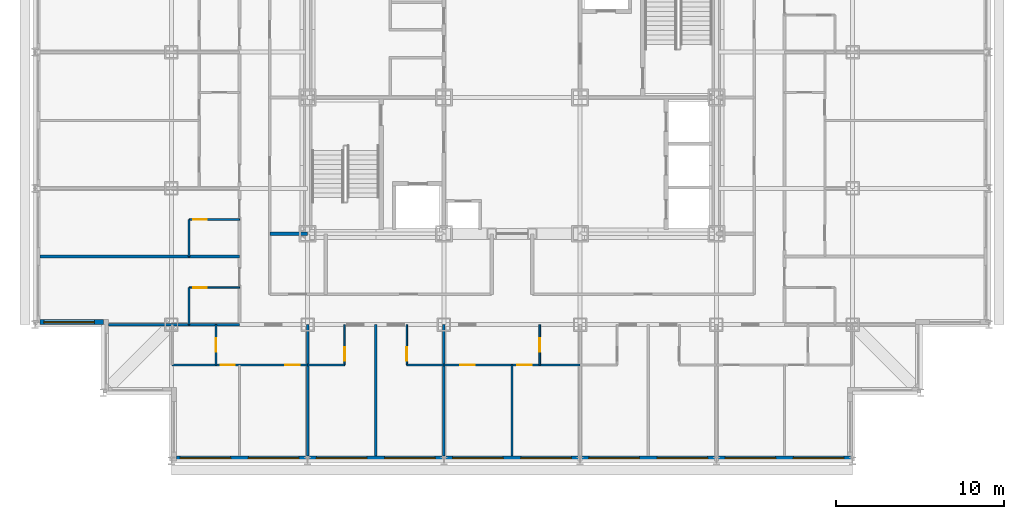
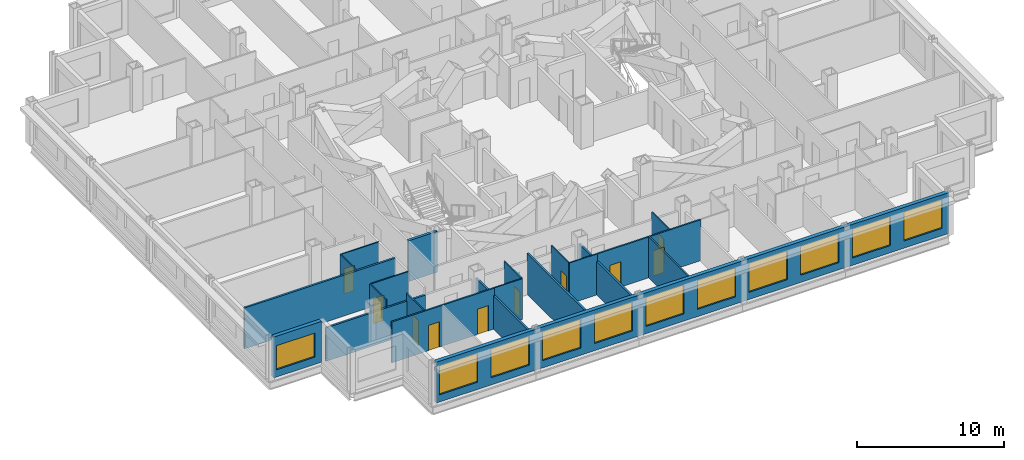
# One storey, part 4 of 12: 21 walls, 11 windows, 10 doors, 21 openings.
"""IFC4 building model written with IfcOpenShell, lengths in metres."""

from ifc_helpers import new_model, si_unit, direction, frame, frame_2d, origin, place, context, subcontext, project, spatial, rectangle, extrude, material, layer, layer_set, type_object, element, fill, save


model = new_model("IFC4")

# Units and contexts
model_context = context("Model", 3, precision=1e-05, world=origin(), true_north=direction((0.0, 1.0)))
body_context = subcontext(model_context, "Body", "Model", "MODEL_VIEW")
ifc_project = project(units=[si_unit("LENGTHUNIT", "METRE"), si_unit("AREAUNIT", "SQUARE_METRE"), si_unit("VOLUMEUNIT", "CUBIC_METRE"), si_unit("PLANEANGLEUNIT", "RADIAN"), si_unit("MASSUNIT", "GRAM", prefix="KILO")], contexts=[model_context])

# Site, building, storey
site_placement = place(None, origin())
site = spatial("IfcSite", under=ifc_project, at=site_placement, CompositionType="ELEMENT")
building_placement = place(site_placement, origin())
building = spatial("IfcBuilding", under=site, at=building_placement, Name="Kopane Lantern Tower", CompositionType="ELEMENT")
storey_placement = place(building_placement, frame((0.0, 0.0, 174.0)))
storey = spatial("IfcBuildingStorey", under=building, at=storey_placement, Name="L44", CompositionType="ELEMENT", Elevation=174.0)

# Wall, openings, doors
ifc_material_1 = material(Name="Gypsum board on steel studs", Category="steel")
ifc_layer_1 = layer(ifc_material_1, 0.1201171875)
ifc_layer_set_1 = layer_set([ifc_layer_1], Name="APARTMENT INTERNAL WALL 120")
wall_type_1 = type_object("IfcWallType", Name="APARTMENT INTERNAL WALL 120", PredefinedType="PARTITIONING", material=ifc_layer_set_1)
wall_1_placement = place(storey_placement, frame((24.300048828125, 16.5, 0.0), z_axis=(0.0, 0.0, 1.0), x_axis=(1.0, 0.0, 0.0)))
wall_1 = element("IfcWall", 1, at=wall_1_placement, inside=storey, type_object=wall_type_1, Name="Apartment Internal Wall 120 L44", PredefinedType="PARTITIONING", context=body_context, shape_type="SweptSolid", body=[
    extrude(rectangle(XDim=8.099853515625, YDim=0.1201171875, at=frame_2d((4.0498046875, 0.0))), origin(), (0.0, 0.0, 1.0), 3.389892578125),
])
opening_1_placement = place(wall_1_placement, frame((0.97509765625, 0.0, 0.0)))
opening_1 = element("IfcOpeningElement", 2, at=opening_1_placement, cuts=wall_1, Name="Opening L44-014", PredefinedType="OPENING", context=body_context, shape_type="SweptSolid", body=[
    extrude(rectangle(XDim=0.85009765625, YDim=2.10009765625, at=frame_2d((0.425048828125, 1.050048828125))), frame((0.0, 0.070068359375, 0.0), z_axis=(0.0, -1.0, 0.0), x_axis=(1.0, 0.0, 0.0)), (0.0, 0.0, 1.0), 0.14013671875),
])
opening_2_placement = place(wall_1_placement, frame((4.375, 0.0, 0.0)))
opening_2 = element("IfcOpeningElement", 3, at=opening_2_placement, cuts=wall_1, Name="Opening L44-015", PredefinedType="OPENING", context=body_context, shape_type="SweptSolid", body=[
    extrude(rectangle(XDim=0.85009765625, YDim=2.10009765625, at=frame_2d((0.425048828125, 1.050048828125))), frame((0.0, 0.070068359375, 0.0), z_axis=(0.0, -1.0, 0.0), x_axis=(1.0, 0.0, 0.0)), (0.0, 0.0, 1.0), 0.14013671875),
])
ifc_material_2 = material(Name="Timber door set", Category="wood")
door_type_1 = type_object("IfcDoorType", Name="DOOR D4 850x2100", OperationType="SINGLE_SWING_LEFT", PredefinedType="DOOR", material=ifc_material_2)
door_1_placement = place(opening_1_placement, origin())
door_1 = element("IfcDoor", 4, at=door_1_placement, inside=storey, type_object=door_type_1, Name="Door L44-014", OperationType="SINGLE_SWING_LEFT", OverallHeight=2.10009765625, OverallWidth=0.85009765625, PredefinedType="DOOR", context=body_context, shape_type="SweptSolid", body=[
    extrude(rectangle(XDim=0.85009765625, YDim=2.10009765625, at=frame_2d((0.425048828125, 1.050048828125))), frame((0.0, 0.02490234375, 0.0), z_axis=(0.0, -1.0, 0.0), x_axis=(1.0, 0.0, 0.0)), (0.0, 0.0, 1.0), 0.050048828125),
])
fill(opening_1, door_1)
door_2_placement = place(opening_2_placement, origin())
door_2 = element("IfcDoor", 5, at=door_2_placement, inside=storey, type_object=door_type_1, Name="Door L44-015", OperationType="SINGLE_SWING_RIGHT", OverallHeight=2.10009765625, OverallWidth=0.85009765625, PredefinedType="DOOR", context=body_context, shape_type="SweptSolid", body=[
    extrude(rectangle(XDim=0.85009765625, YDim=2.10009765625, at=frame_2d((0.425048828125, 1.050048828125))), frame((0.0, 0.02490234375, 0.0), z_axis=(0.0, -1.0, 0.0), x_axis=(1.0, 0.0, 0.0)), (0.0, 0.0, 1.0), 0.050048828125),
])
fill(opening_2, door_2)

# Wall
wall_2_placement = place(storey_placement, frame((28.35009765625, 16.5, 0.0), z_axis=(0.0, 0.0, 1.0), x_axis=(0.0, -1.0, 0.0)))
element("IfcWall", 6, at=wall_2_placement, inside=storey, type_object=wall_type_1, Name="Apartment Internal Wall 120 L44", PredefinedType="PARTITIONING", context=body_context, shape_type="SweptSolid", body=[
    extrude(rectangle(XDim=5.39990234375, YDim=0.1201171875, at=frame_2d((2.699951171875, 0.0))), origin(), (0.0, 0.0, 1.0), 3.389892578125),
])

# Wall, openings, doors
wall_3_placement = place(storey_placement, frame((8.14990234375, 16.5, 0.0), z_axis=(0.0, 0.0, 1.0), x_axis=(1.0, 0.0, 0.0)))
wall_3 = element("IfcWall", 7, at=wall_3_placement, inside=storey, type_object=wall_type_1, Name="Apartment Internal Wall 120 L44", PredefinedType="PARTITIONING", context=body_context, shape_type="SweptSolid", body=[
    extrude(rectangle(XDim=8.050048828125, YDim=0.1201171875, at=frame_2d((4.02490234375, 0.0))), origin(), (0.0, 0.0, 1.0), 3.389892578125),
])
opening_3_placement = place(wall_3_placement, frame((6.72509765625, 0.0, 0.0)))
opening_3 = element("IfcOpeningElement", 8, at=opening_3_placement, cuts=wall_3, Name="Opening L44-055", PredefinedType="OPENING", context=body_context, shape_type="SweptSolid", body=[
    extrude(rectangle(XDim=0.85009765625, YDim=2.10009765625, at=frame_2d((0.425048828125, 1.050048828125))), frame((0.0, 0.070068359375, 0.0), z_axis=(0.0, -1.0, 0.0), x_axis=(1.0, 0.0, 0.0)), (0.0, 0.0, 1.0), 0.14013671875),
])
opening_4_placement = place(wall_3_placement, frame((2.875, 0.0, 0.0)))
opening_4 = element("IfcOpeningElement", 9, at=opening_4_placement, cuts=wall_3, Name="Opening L44-057", PredefinedType="OPENING", context=body_context, shape_type="SweptSolid", body=[
    extrude(rectangle(XDim=0.85009765625, YDim=2.10009765625, at=frame_2d((0.425048828125, 1.050048828125))), frame((0.0, 0.070068359375, 0.0), z_axis=(0.0, -1.0, 0.0), x_axis=(1.0, 0.0, 0.0)), (0.0, 0.0, 1.0), 0.14013671875),
])
door_3_placement = place(opening_3_placement, origin())
door_3 = element("IfcDoor", 10, at=door_3_placement, inside=storey, type_object=door_type_1, Name="Door L44-055", OperationType="SINGLE_SWING_RIGHT", OverallHeight=2.10009765625, OverallWidth=0.85009765625, PredefinedType="DOOR", context=body_context, shape_type="SweptSolid", body=[
    extrude(rectangle(XDim=0.85009765625, YDim=2.10009765625, at=frame_2d((0.425048828125, 1.050048828125))), frame((0.0, 0.02490234375, 0.0), z_axis=(0.0, -1.0, 0.0), x_axis=(1.0, 0.0, 0.0)), (0.0, 0.0, 1.0), 0.050048828125),
])
fill(opening_3, door_3)
door_4_placement = place(opening_4_placement, origin())
door_4 = element("IfcDoor", 11, at=door_4_placement, inside=storey, type_object=door_type_1, Name="Door L44-057", OperationType="SINGLE_SWING_LEFT", OverallHeight=2.10009765625, OverallWidth=0.85009765625, PredefinedType="DOOR", context=body_context, shape_type="SweptSolid", body=[
    extrude(rectangle(XDim=0.85009765625, YDim=2.10009765625, at=frame_2d((0.425048828125, 1.050048828125))), frame((0.0, 0.02490234375, 0.0), z_axis=(0.0, -1.0, 0.0), x_axis=(1.0, 0.0, 0.0)), (0.0, 0.0, 1.0), 0.050048828125),
])
fill(opening_4, door_4)

# Wall
ifc_material_3 = material(Name="Moisture-resistant board on steel studs", Category="steel")
ifc_layer_2 = layer(ifc_material_3, 0.10009765625)
ifc_layer_set_2 = layer_set([ifc_layer_2], Name="BATHROOM WALL 100")
wall_type_2 = type_object("IfcWallType", Name="BATHROOM WALL 100", PredefinedType="PARTITIONING", material=ifc_layer_set_2)
wall_4_placement = place(storey_placement, frame((16.199951171875, 16.5, 0.0), z_axis=(0.0, 0.0, 1.0), x_axis=(1.0, 0.0, 0.0)))
element("IfcWall", 12, at=wall_4_placement, inside=storey, type_object=wall_type_2, Name="Bathroom Wall 100 L44", PredefinedType="PARTITIONING", context=body_context, shape_type="SweptSolid", body=[
    extrude(rectangle(XDim=2.199951171875, YDim=0.10009765625, at=frame_2d((1.10009765625, 0.0))), origin(), (0.0, 0.0, 1.0), 3.389892578125),
])

# Wall, opening, door
wall_5_placement = place(storey_placement, frame((18.39990234375, 18.89990234375, 0.0), z_axis=(0.0, 0.0, 1.0), x_axis=(0.0, -1.0, 0.0)))
wall_5 = element("IfcWall", 13, at=wall_5_placement, inside=storey, type_object=wall_type_2, Name="Bathroom Wall 100 L44", PredefinedType="PARTITIONING", context=body_context, shape_type="SweptSolid", body=[
    extrude(rectangle(XDim=2.39990234375, YDim=0.10009765625, at=frame_2d((1.199951171875, 0.0))), origin(), (0.0, 0.0, 1.0), 3.389892578125),
])
opening_5_placement = place(wall_5_placement, frame((1.35009765625, 0.0, 0.0)))
opening_5 = element("IfcOpeningElement", 14, at=opening_5_placement, cuts=wall_5, Name="Opening L44-008", PredefinedType="OPENING", context=body_context, shape_type="SweptSolid", body=[
    extrude(rectangle(XDim=0.800048828125, YDim=2.10009765625, at=frame_2d((0.39990234375, 1.050048828125))), frame((0.0, 0.06005859375, 0.0), z_axis=(0.0, -1.0, 0.0), x_axis=(1.0, 0.0, 0.0)), (0.0, 0.0, 1.0), 0.1201171875),
])
ifc_material_4 = material(Name="Timber door set", Category="wood")
door_type_2 = type_object("IfcDoorType", Name="DOOR D2 800x2100", OperationType="SINGLE_SWING_LEFT", PredefinedType="DOOR", material=ifc_material_4)
door_5_placement = place(opening_5_placement, origin())
door_5 = element("IfcDoor", 15, at=door_5_placement, inside=storey, type_object=door_type_2, Name="Door L44-008", OperationType="SINGLE_SWING_LEFT", OverallHeight=2.10009765625, OverallWidth=0.800048828125, PredefinedType="DOOR", context=body_context, shape_type="SweptSolid", body=[
    extrude(rectangle(XDim=0.800048828125, YDim=2.10009765625, at=frame_2d((0.39990234375, 1.050048828125))), frame((0.0, 0.02490234375, 0.0), z_axis=(0.0, -1.0, 0.0), x_axis=(1.0, 0.0, 0.0)), (0.0, 0.0, 1.0), 0.050048828125),
])
fill(opening_5, door_5)

# Wall
wall_6_placement = place(storey_placement, frame((22.10009765625, 16.5, 0.0), z_axis=(0.0, 0.0, 1.0), x_axis=(1.0, 0.0, 0.0)))
element("IfcWall", 16, at=wall_6_placement, inside=storey, type_object=wall_type_2, Name="Bathroom Wall 100 L44", PredefinedType="PARTITIONING", context=body_context, shape_type="SweptSolid", body=[
    extrude(rectangle(XDim=2.199951171875, YDim=0.10009765625, at=frame_2d((1.10009765625, 0.0))), origin(), (0.0, 0.0, 1.0), 3.389892578125),
])

# Wall, opening, door
wall_7_placement = place(storey_placement, frame((22.10009765625, 18.89990234375, 0.0), z_axis=(0.0, 0.0, 1.0), x_axis=(0.0, -1.0, 0.0)))
wall_7 = element("IfcWall", 17, at=wall_7_placement, inside=storey, type_object=wall_type_2, Name="Bathroom Wall 100 L44", PredefinedType="PARTITIONING", context=body_context, shape_type="SweptSolid", body=[
    extrude(rectangle(XDim=2.39990234375, YDim=0.10009765625, at=frame_2d((1.199951171875, 0.0))), origin(), (0.0, 0.0, 1.0), 3.389892578125),
])
opening_6_placement = place(wall_7_placement, frame((1.35009765625, 0.0, 0.0)))
opening_6 = element("IfcOpeningElement", 18, at=opening_6_placement, cuts=wall_7, Name="Opening L44-010", PredefinedType="OPENING", context=body_context, shape_type="SweptSolid", body=[
    extrude(rectangle(XDim=0.800048828125, YDim=2.10009765625, at=frame_2d((0.39990234375, 1.050048828125))), frame((0.0, 0.06005859375, 0.0), z_axis=(0.0, -1.0, 0.0), x_axis=(1.0, 0.0, 0.0)), (0.0, 0.0, 1.0), 0.1201171875),
])
door_6_placement = place(opening_6_placement, origin())
door_6 = element("IfcDoor", 19, at=door_6_placement, inside=storey, type_object=door_type_2, Name="Door L44-010", OperationType="SINGLE_SWING_RIGHT", OverallHeight=2.10009765625, OverallWidth=0.800048828125, PredefinedType="DOOR", context=body_context, shape_type="SweptSolid", body=[
    extrude(rectangle(XDim=0.800048828125, YDim=2.10009765625, at=frame_2d((0.39990234375, 1.050048828125))), frame((0.0, 0.02490234375, 0.0), z_axis=(0.0, -1.0, 0.0), x_axis=(1.0, 0.0, 0.0)), (0.0, 0.0, 1.0), 0.050048828125),
])
fill(opening_6, door_6)

wall_8_placement = place(storey_placement, frame((30.0, 18.89990234375, 0.0), z_axis=(0.0, 0.0, 1.0), x_axis=(0.0, -1.0, 0.0)))
wall_8 = element("IfcWall", 20, at=wall_8_placement, inside=storey, type_object=wall_type_2, Name="Bathroom Wall 100 L44", PredefinedType="PARTITIONING", context=body_context, shape_type="SweptSolid", body=[
    extrude(rectangle(XDim=2.39990234375, YDim=0.10009765625, at=frame_2d((1.199951171875, 0.0))), origin(), (0.0, 0.0, 1.0), 3.389892578125),
])
opening_7_placement = place(wall_8_placement, frame((0.800048828125, 0.0, 0.0)))
opening_7 = element("IfcOpeningElement", 21, at=opening_7_placement, cuts=wall_8, Name="Opening L44-012", PredefinedType="OPENING", context=body_context, shape_type="SweptSolid", body=[
    extrude(rectangle(XDim=0.800048828125, YDim=2.10009765625, at=frame_2d((0.39990234375, 1.050048828125))), frame((0.0, 0.06005859375, 0.0), z_axis=(0.0, -1.0, 0.0), x_axis=(1.0, 0.0, 0.0)), (0.0, 0.0, 1.0), 0.1201171875),
])
door_7_placement = place(opening_7_placement, origin())
door_7 = element("IfcDoor", 22, at=door_7_placement, inside=storey, type_object=door_type_2, Name="Door L44-012", OperationType="SINGLE_SWING_LEFT", OverallHeight=2.10009765625, OverallWidth=0.800048828125, PredefinedType="DOOR", context=body_context, shape_type="SweptSolid", body=[
    extrude(rectangle(XDim=0.800048828125, YDim=2.10009765625, at=frame_2d((0.39990234375, 1.050048828125))), frame((0.0, 0.02490234375, 0.0), z_axis=(0.0, -1.0, 0.0), x_axis=(1.0, 0.0, 0.0)), (0.0, 0.0, 1.0), 0.050048828125),
])
fill(opening_7, door_7)

# Wall
wall_9_placement = place(storey_placement, frame((9.14990234375, 18.89990234375, 0.0), z_axis=(0.0, 0.0, 1.0), x_axis=(0.0, 1.0, 0.0)))
element("IfcWall", 23, at=wall_9_placement, inside=storey, type_object=wall_type_2, Name="Bathroom Wall 100 L44", PredefinedType="PARTITIONING", context=body_context, shape_type="SweptSolid", body=[
    extrude(rectangle(XDim=2.2001953125, YDim=0.10009765625, at=frame_2d((1.10009765625, 0.0))), origin(), (0.0, 0.0, 1.0), 3.389892578125),
])

# Wall, opening, door
wall_10_placement = place(storey_placement, frame((12.14990234375, 21.10009765625, 0.0), z_axis=(0.0, 0.0, 1.0), x_axis=(-1.0, 0.0, 0.0)))
wall_10 = element("IfcWall", 24, at=wall_10_placement, inside=storey, type_object=wall_type_2, Name="Bathroom Wall 100 L44", PredefinedType="PARTITIONING", context=body_context, shape_type="SweptSolid", body=[
    extrude(rectangle(XDim=3.0, YDim=0.10009765625, at=frame_2d((1.5, 0.0))), origin(), (0.0, 0.0, 1.0), 3.389892578125),
])
opening_8_placement = place(wall_10_placement, frame((1.949951171875, 0.0, 0.0)))
opening_8 = element("IfcOpeningElement", 25, at=opening_8_placement, cuts=wall_10, Name="Opening L44-032", PredefinedType="OPENING", context=body_context, shape_type="SweptSolid", body=[
    extrude(rectangle(XDim=0.800048828125, YDim=2.10009765625, at=frame_2d((0.39990234375, 1.050048828125))), frame((0.0, 0.06005859375, 0.0), z_axis=(0.0, -1.0, 0.0), x_axis=(1.0, 0.0, 0.0)), (0.0, 0.0, 1.0), 0.1201171875),
])
door_8_placement = place(opening_8_placement, origin())
door_8 = element("IfcDoor", 26, at=door_8_placement, inside=storey, type_object=door_type_2, Name="Door L44-032", OperationType="SINGLE_SWING_RIGHT", OverallHeight=2.10009765625, OverallWidth=0.800048828125, PredefinedType="DOOR", context=body_context, shape_type="SweptSolid", body=[
    extrude(rectangle(XDim=0.800048828125, YDim=2.10009765625, at=frame_2d((0.39990234375, 1.050048828125))), frame((0.0, 0.02490234375, 0.0), z_axis=(0.0, -1.0, 0.0), x_axis=(1.0, 0.0, 0.0)), (0.0, 0.0, 1.0), 0.050048828125),
])
fill(opening_8, door_8)

# Wall
wall_11_placement = place(storey_placement, frame((9.14990234375, 22.949951171875, 0.0), z_axis=(0.0, 0.0, 1.0), x_axis=(0.0, 1.0, 0.0)))
element("IfcWall", 27, at=wall_11_placement, inside=storey, type_object=wall_type_2, Name="Bathroom Wall 100 L44", PredefinedType="PARTITIONING", context=body_context, shape_type="SweptSolid", body=[
    extrude(rectangle(XDim=2.199951171875, YDim=0.10009765625, at=frame_2d((1.10009765625, 0.0))), origin(), (0.0, 0.0, 1.0), 3.389892578125),
])

# Wall, opening, door
wall_12_placement = place(storey_placement, frame((12.14990234375, 25.14990234375, 0.0), z_axis=(0.0, 0.0, 1.0), x_axis=(-1.0, 0.0, 0.0)))
wall_12 = element("IfcWall", 28, at=wall_12_placement, inside=storey, type_object=wall_type_2, Name="Bathroom Wall 100 L44", PredefinedType="PARTITIONING", context=body_context, shape_type="SweptSolid", body=[
    extrude(rectangle(XDim=3.0, YDim=0.10009765625, at=frame_2d((1.5, 0.0))), origin(), (0.0, 0.0, 1.0), 3.389892578125),
])
opening_9_placement = place(wall_12_placement, frame((1.949951171875, 0.0, 0.0)))
opening_9 = element("IfcOpeningElement", 29, at=opening_9_placement, cuts=wall_12, Name="Opening L44-034", PredefinedType="OPENING", context=body_context, shape_type="SweptSolid", body=[
    extrude(rectangle(XDim=0.800048828125, YDim=2.10009765625, at=frame_2d((0.39990234375, 1.050048828125))), frame((0.0, 0.06005859375, 0.0), z_axis=(0.0, -1.0, 0.0), x_axis=(1.0, 0.0, 0.0)), (0.0, 0.0, 1.0), 0.1201171875),
])
door_9_placement = place(opening_9_placement, origin())
door_9 = element("IfcDoor", 30, at=door_9_placement, inside=storey, type_object=door_type_2, Name="Door L44-034", OperationType="SINGLE_SWING_RIGHT", OverallHeight=2.10009765625, OverallWidth=0.800048828125, PredefinedType="DOOR", context=body_context, shape_type="SweptSolid", body=[
    extrude(rectangle(XDim=0.800048828125, YDim=2.10009765625, at=frame_2d((0.39990234375, 1.050048828125))), frame((0.0, 0.02490234375, 0.0), z_axis=(0.0, -1.0, 0.0), x_axis=(1.0, 0.0, 0.0)), (0.0, 0.0, 1.0), 0.050048828125),
])
fill(opening_9, door_9)

wall_13_placement = place(storey_placement, frame((10.75, 18.89990234375, 0.0), z_axis=(0.0, 0.0, 1.0), x_axis=(0.0, -1.0, 0.0)))
wall_13 = element("IfcWall", 31, at=wall_13_placement, inside=storey, type_object=wall_type_2, Name="Bathroom Wall 100 L44", PredefinedType="PARTITIONING", context=body_context, shape_type="SweptSolid", body=[
    extrude(rectangle(XDim=2.39990234375, YDim=0.10009765625, at=frame_2d((1.199951171875, 0.0))), origin(), (0.0, 0.0, 1.0), 3.389892578125),
])
opening_10_placement = place(wall_13_placement, frame((0.800048828125, 0.0, 0.0)))
opening_10 = element("IfcOpeningElement", 32, at=opening_10_placement, cuts=wall_13, Name="Opening L44-056", PredefinedType="OPENING", context=body_context, shape_type="SweptSolid", body=[
    extrude(rectangle(XDim=0.800048828125, YDim=2.10009765625, at=frame_2d((0.39990234375, 1.050048828125))), frame((0.0, 0.06005859375, 0.0), z_axis=(0.0, -1.0, 0.0), x_axis=(1.0, 0.0, 0.0)), (0.0, 0.0, 1.0), 0.1201171875),
])
door_10_placement = place(opening_10_placement, origin())
door_10 = element("IfcDoor", 33, at=door_10_placement, inside=storey, type_object=door_type_2, Name="Door L44-056", OperationType="SINGLE_SWING_RIGHT", OverallHeight=2.10009765625, OverallWidth=0.800048828125, PredefinedType="DOOR", context=body_context, shape_type="SweptSolid", body=[
    extrude(rectangle(XDim=0.800048828125, YDim=2.10009765625, at=frame_2d((0.39990234375, 1.050048828125))), frame((0.0, 0.02490234375, 0.0), z_axis=(0.0, -1.0, 0.0), x_axis=(1.0, 0.0, 0.0)), (0.0, 0.0, 1.0), 0.050048828125),
])
fill(opening_10, door_10)

# Walls
ifc_material_5 = material(Name="Gypsum board on steel studs", Category="steel")
ifc_layer_3 = layer(ifc_material_5, 0.14990234375)
ifc_layer_set_3 = layer_set([ifc_layer_3], Name="DEMISING WALL 150 EI 60")
wall_type_3 = type_object("IfcWallType", Name="DEMISING WALL 150 EI 60", PredefinedType="PARTITIONING", material=ifc_layer_set_3)
wall_14_placement = place(storey_placement, frame((20.25, 18.89990234375, 0.0), z_axis=(0.0, 0.0, 1.0), x_axis=(0.0, -1.0, 0.0)))
element("IfcWall", 34, at=wall_14_placement, inside=storey, type_object=wall_type_3, Name="Demising Wall 150 Ei 60 L44", PredefinedType="PARTITIONING", context=body_context, shape_type="SweptSolid", body=[
    extrude(rectangle(XDim=7.7998046875, YDim=0.14990234375, at=frame_2d((3.89990234375, 0.0))), origin(), (0.0, 0.0, 1.0), 3.389892578125),
])
wall_15_placement = place(storey_placement, frame((24.300048828125, 18.89990234375, 0.0), z_axis=(0.0, 0.0, 1.0), x_axis=(0.0, -1.0, 0.0)))
element("IfcWall", 35, at=wall_15_placement, inside=storey, type_object=wall_type_3, Name="Demising Wall 150 Ei 60 L44", PredefinedType="PARTITIONING", context=body_context, shape_type="SweptSolid", body=[
    extrude(rectangle(XDim=7.7998046875, YDim=0.14990234375, at=frame_2d((3.89990234375, 0.0))), origin(), (0.0, 0.0, 1.0), 2.77783203125),
])
wall_16_placement = place(storey_placement, frame((12.14990234375, 22.949951171875, 0.0), z_axis=(0.0, 0.0, 1.0), x_axis=(-1.0, 0.0, 0.0)))
element("IfcWall", 36, at=wall_16_placement, inside=storey, type_object=wall_type_3, Name="Demising Wall 150 Ei 60 L44", PredefinedType="PARTITIONING", context=body_context, shape_type="SweptSolid", body=[
    extrude(rectangle(XDim=11.849853515625, YDim=0.14990234375, at=frame_2d((5.9248046875, 0.0))), origin(), (0.0, 0.0, 1.0), 3.389892578125),
])
for number, where, z_axis, x_axis, name in (
    (37, (4.35009765625, 18.89990234375, 0.0), (0.0, 0.0, 1.0), (1.0, 0.0, 0.0), "Demising Wall 150 Ei 60 L44"),
    (38, (16.199951171875, 18.89990234375, 0.0), (0.0, 0.0, 1.0), (0.0, -1.0, 0.0), "Demising Wall 150 Ei 60 L44"),
):
    element("IfcWall", number, at=place(storey_placement, frame(where, z_axis=z_axis, x_axis=x_axis)), inside=storey, type_object=wall_type_3, Name=name, PredefinedType="PARTITIONING", context=body_context, shape_type="SweptSolid", body=[
        extrude(rectangle(XDim=7.7998046875, YDim=0.14990234375, at=frame_2d((3.89990234375, 0.0))), origin(), (0.0, 0.0, 1.0), 2.77783203125),
    ])

# Wall, openings, windows
ifc_material_6 = material(Name="Terracotta rainscreen on light steel framing", Category="masonry")
ifc_layer_4 = layer(ifc_material_6, 0.300048828125)
ifc_layer_set_4 = layer_set([ifc_layer_4], Name="EXTERNAL WALL EW1 300 TERRACOTTA")
wall_type_4 = type_object("IfcWallType", Name="EXTERNAL WALL EW1 300 TERRACOTTA", PredefinedType="SOLIDWALL", material=ifc_layer_set_4)
wall_17_placement = place(storey_placement, frame((8.39990234375, 10.949951171875, 0.0), z_axis=(0.0, 0.0, 1.0), x_axis=(1.0, 0.0, 0.0)))
wall_17 = element("IfcWall", 39, at=wall_17_placement, inside=storey, type_object=wall_type_4, Name="External wall S L44", PredefinedType="SOLIDWALL", context=body_context, shape_type="SweptSolid", body=[
    extrude(rectangle(XDim=40.2001953125, YDim=0.300048828125, at=frame_2d((20.10009765625, 0.0))), origin(), (0.0, 0.0, 1.0), 3.389892578125),
])
opening_11_placement = place(wall_17_placement, frame((0.22509765625, 0.0, 0.60009765625)))
opening_11 = element("IfcOpeningElement", 40, at=opening_11_placement, cuts=wall_17, Name="Opening WR300240", PredefinedType="OPENING", context=body_context, shape_type="SweptSolid", body=[
    extrude(rectangle(XDim=3.0, YDim=2.39990234375, at=frame_2d((1.5, 1.199951171875))), frame((0.0, 0.159912109375, 0.0), z_axis=(0.0, -1.0, 0.0), x_axis=(1.0, 0.0, 0.0)), (0.0, 0.0, 1.0), 0.320068359375),
])
opening_12_placement = place(wall_17_placement, frame((4.27490234375, 0.0, 0.60009765625)))
opening_12 = element("IfcOpeningElement", 41, at=opening_12_placement, cuts=wall_17, Name="Opening WR300240", PredefinedType="OPENING", context=body_context, shape_type="SweptSolid", body=[
    extrude(rectangle(XDim=3.0, YDim=2.39990234375, at=frame_2d((1.5, 1.199951171875))), frame((0.0, 0.159912109375, 0.0), z_axis=(0.0, -1.0, 0.0), x_axis=(1.0, 0.0, 0.0)), (0.0, 0.0, 1.0), 0.320068359375),
])
opening_13_placement = place(wall_17_placement, frame((8.324951171875, 0.0, 0.60009765625)))
opening_13 = element("IfcOpeningElement", 42, at=opening_13_placement, cuts=wall_17, Name="Opening WR300240", PredefinedType="OPENING", context=body_context, shape_type="SweptSolid", body=[
    extrude(rectangle(XDim=3.0, YDim=2.39990234375, at=frame_2d((1.5, 1.199951171875))), frame((0.0, 0.159912109375, 0.0), z_axis=(0.0, -1.0, 0.0), x_axis=(1.0, 0.0, 0.0)), (0.0, 0.0, 1.0), 0.320068359375),
])
opening_14_placement = place(wall_17_placement, frame((12.375, 0.0, 0.60009765625)))
opening_14 = element("IfcOpeningElement", 43, at=opening_14_placement, cuts=wall_17, Name="Opening WR300240", PredefinedType="OPENING", context=body_context, shape_type="SweptSolid", body=[
    extrude(rectangle(XDim=3.0, YDim=2.39990234375, at=frame_2d((1.5, 1.199951171875))), frame((0.0, 0.159912109375, 0.0), z_axis=(0.0, -1.0, 0.0), x_axis=(1.0, 0.0, 0.0)), (0.0, 0.0, 1.0), 0.320068359375),
])
opening_15_placement = place(wall_17_placement, frame((16.425048828125, 0.0, 0.60009765625)))
opening_15 = element("IfcOpeningElement", 44, at=opening_15_placement, cuts=wall_17, Name="Opening WR300240", PredefinedType="OPENING", context=body_context, shape_type="SweptSolid", body=[
    extrude(rectangle(XDim=3.0, YDim=2.39990234375, at=frame_2d((1.5, 1.199951171875))), frame((0.0, 0.159912109375, 0.0), z_axis=(0.0, -1.0, 0.0), x_axis=(1.0, 0.0, 0.0)), (0.0, 0.0, 1.0), 0.320068359375),
])
opening_16_placement = place(wall_17_placement, frame((20.47509765625, 0.0, 0.60009765625)))
opening_16 = element("IfcOpeningElement", 45, at=opening_16_placement, cuts=wall_17, Name="Opening WR300240", PredefinedType="OPENING", context=body_context, shape_type="SweptSolid", body=[
    extrude(rectangle(XDim=3.0, YDim=2.39990234375, at=frame_2d((1.5, 1.199951171875))), frame((0.0, 0.159912109375, 0.0), z_axis=(0.0, -1.0, 0.0), x_axis=(1.0, 0.0, 0.0)), (0.0, 0.0, 1.0), 0.320068359375),
])
opening_17_placement = place(wall_17_placement, frame((24.52490234375, 0.0, 0.60009765625)))
opening_17 = element("IfcOpeningElement", 46, at=opening_17_placement, cuts=wall_17, Name="Opening WR300240", PredefinedType="OPENING", context=body_context, shape_type="SweptSolid", body=[
    extrude(rectangle(XDim=3.0, YDim=2.39990234375, at=frame_2d((1.5, 1.199951171875))), frame((0.0, 0.159912109375, 0.0), z_axis=(0.0, -1.0, 0.0), x_axis=(1.0, 0.0, 0.0)), (0.0, 0.0, 1.0), 0.320068359375),
])
opening_18_placement = place(wall_17_placement, frame((28.574951171875, 0.0, 0.60009765625)))
opening_18 = element("IfcOpeningElement", 47, at=opening_18_placement, cuts=wall_17, Name="Opening WR300240", PredefinedType="OPENING", context=body_context, shape_type="SweptSolid", body=[
    extrude(rectangle(XDim=3.0, YDim=2.39990234375, at=frame_2d((1.5, 1.199951171875))), frame((0.0, 0.159912109375, 0.0), z_axis=(0.0, -1.0, 0.0), x_axis=(1.0, 0.0, 0.0)), (0.0, 0.0, 1.0), 0.320068359375),
])
opening_19_placement = place(wall_17_placement, frame((32.625, 0.0, 0.60009765625)))
opening_19 = element("IfcOpeningElement", 48, at=opening_19_placement, cuts=wall_17, Name="Opening WR300240", PredefinedType="OPENING", context=body_context, shape_type="SweptSolid", body=[
    extrude(rectangle(XDim=3.0, YDim=2.39990234375, at=frame_2d((1.5, 1.199951171875))), frame((0.0, 0.159912109375, 0.0), z_axis=(0.0, -1.0, 0.0), x_axis=(1.0, 0.0, 0.0)), (0.0, 0.0, 1.0), 0.320068359375),
])
opening_20_placement = place(wall_17_placement, frame((36.675048828125, 0.0, 0.60009765625)))
opening_20 = element("IfcOpeningElement", 49, at=opening_20_placement, cuts=wall_17, Name="Opening WR300240", PredefinedType="OPENING", context=body_context, shape_type="SweptSolid", body=[
    extrude(rectangle(XDim=3.0, YDim=2.39990234375, at=frame_2d((1.5, 1.199951171875))), frame((0.0, 0.159912109375, 0.0), z_axis=(0.0, -1.0, 0.0), x_axis=(1.0, 0.0, 0.0)), (0.0, 0.0, 1.0), 0.320068359375),
])
ifc_material_7 = material(Name="Aluminium and clear glass", Category="aluminium")
window_type_1 = type_object("IfcWindowType", Name="RIBBON WINDOW WR300240 3000x2400", PartitioningType="SINGLE_PANEL", PredefinedType="WINDOW", material=ifc_material_7)
window_1_placement = place(opening_11_placement, origin())
window_1 = element("IfcWindow", 50, at=window_1_placement, inside=storey, type_object=window_type_1, Name="Window S L44", OverallHeight=2.39990234375, OverallWidth=3.0, PartitioningType="SINGLE_PANEL", PredefinedType="WINDOW", context=body_context, shape_type="SweptSolid", body=[
    extrude(rectangle(XDim=3.0, YDim=2.39990234375, at=frame_2d((1.5, 1.199951171875))), frame((0.0, 0.030029296875, 0.0), z_axis=(0.0, -1.0, 0.0), x_axis=(1.0, 0.0, 0.0)), (0.0, 0.0, 1.0), 0.06005859375),
])
fill(opening_11, window_1)
window_2_placement = place(opening_12_placement, origin())
window_2 = element("IfcWindow", 51, at=window_2_placement, inside=storey, type_object=window_type_1, Name="Window S L44", OverallHeight=2.39990234375, OverallWidth=3.0, PartitioningType="SINGLE_PANEL", PredefinedType="WINDOW", context=body_context, shape_type="SweptSolid", body=[
    extrude(rectangle(XDim=3.0, YDim=2.39990234375, at=frame_2d((1.5, 1.199951171875))), frame((0.0, 0.030029296875, 0.0), z_axis=(0.0, -1.0, 0.0), x_axis=(1.0, 0.0, 0.0)), (0.0, 0.0, 1.0), 0.06005859375),
])
fill(opening_12, window_2)
window_3_placement = place(opening_13_placement, origin())
window_3 = element("IfcWindow", 52, at=window_3_placement, inside=storey, type_object=window_type_1, Name="Window S L44", OverallHeight=2.39990234375, OverallWidth=3.0, PartitioningType="SINGLE_PANEL", PredefinedType="WINDOW", context=body_context, shape_type="SweptSolid", body=[
    extrude(rectangle(XDim=3.0, YDim=2.39990234375, at=frame_2d((1.5, 1.199951171875))), frame((0.0, 0.030029296875, 0.0), z_axis=(0.0, -1.0, 0.0), x_axis=(1.0, 0.0, 0.0)), (0.0, 0.0, 1.0), 0.06005859375),
])
fill(opening_13, window_3)
window_4_placement = place(opening_14_placement, origin())
window_4 = element("IfcWindow", 53, at=window_4_placement, inside=storey, type_object=window_type_1, Name="Window S L44", OverallHeight=2.39990234375, OverallWidth=3.0, PartitioningType="SINGLE_PANEL", PredefinedType="WINDOW", context=body_context, shape_type="SweptSolid", body=[
    extrude(rectangle(XDim=3.0, YDim=2.39990234375, at=frame_2d((1.5, 1.199951171875))), frame((0.0, 0.030029296875, 0.0), z_axis=(0.0, -1.0, 0.0), x_axis=(1.0, 0.0, 0.0)), (0.0, 0.0, 1.0), 0.06005859375),
])
fill(opening_14, window_4)
window_5_placement = place(opening_15_placement, origin())
window_5 = element("IfcWindow", 54, at=window_5_placement, inside=storey, type_object=window_type_1, Name="Window S L44", OverallHeight=2.39990234375, OverallWidth=3.0, PartitioningType="SINGLE_PANEL", PredefinedType="WINDOW", context=body_context, shape_type="SweptSolid", body=[
    extrude(rectangle(XDim=3.0, YDim=2.39990234375, at=frame_2d((1.5, 1.199951171875))), frame((0.0, 0.030029296875, 0.0), z_axis=(0.0, -1.0, 0.0), x_axis=(1.0, 0.0, 0.0)), (0.0, 0.0, 1.0), 0.06005859375),
])
fill(opening_15, window_5)
window_6_placement = place(opening_16_placement, origin())
window_6 = element("IfcWindow", 55, at=window_6_placement, inside=storey, type_object=window_type_1, Name="Window S L44", OverallHeight=2.39990234375, OverallWidth=3.0, PartitioningType="SINGLE_PANEL", PredefinedType="WINDOW", context=body_context, shape_type="SweptSolid", body=[
    extrude(rectangle(XDim=3.0, YDim=2.39990234375, at=frame_2d((1.5, 1.199951171875))), frame((0.0, 0.030029296875, 0.0), z_axis=(0.0, -1.0, 0.0), x_axis=(1.0, 0.0, 0.0)), (0.0, 0.0, 1.0), 0.06005859375),
])
fill(opening_16, window_6)
window_7_placement = place(opening_17_placement, origin())
window_7 = element("IfcWindow", 56, at=window_7_placement, inside=storey, type_object=window_type_1, Name="Window S L44", OverallHeight=2.39990234375, OverallWidth=3.0, PartitioningType="SINGLE_PANEL", PredefinedType="WINDOW", context=body_context, shape_type="SweptSolid", body=[
    extrude(rectangle(XDim=3.0, YDim=2.39990234375, at=frame_2d((1.5, 1.199951171875))), frame((0.0, 0.030029296875, 0.0), z_axis=(0.0, -1.0, 0.0), x_axis=(1.0, 0.0, 0.0)), (0.0, 0.0, 1.0), 0.06005859375),
])
fill(opening_17, window_7)
window_8_placement = place(opening_18_placement, origin())
window_8 = element("IfcWindow", 57, at=window_8_placement, inside=storey, type_object=window_type_1, Name="Window S L44", OverallHeight=2.39990234375, OverallWidth=3.0, PartitioningType="SINGLE_PANEL", PredefinedType="WINDOW", context=body_context, shape_type="SweptSolid", body=[
    extrude(rectangle(XDim=3.0, YDim=2.39990234375, at=frame_2d((1.5, 1.199951171875))), frame((0.0, 0.030029296875, 0.0), z_axis=(0.0, -1.0, 0.0), x_axis=(1.0, 0.0, 0.0)), (0.0, 0.0, 1.0), 0.06005859375),
])
fill(opening_18, window_8)
window_9_placement = place(opening_19_placement, origin())
window_9 = element("IfcWindow", 58, at=window_9_placement, inside=storey, type_object=window_type_1, Name="Window S L44", OverallHeight=2.39990234375, OverallWidth=3.0, PartitioningType="SINGLE_PANEL", PredefinedType="WINDOW", context=body_context, shape_type="SweptSolid", body=[
    extrude(rectangle(XDim=3.0, YDim=2.39990234375, at=frame_2d((1.5, 1.199951171875))), frame((0.0, 0.030029296875, 0.0), z_axis=(0.0, -1.0, 0.0), x_axis=(1.0, 0.0, 0.0)), (0.0, 0.0, 1.0), 0.06005859375),
])
fill(opening_19, window_9)
window_10_placement = place(opening_20_placement, origin())
window_10 = element("IfcWindow", 59, at=window_10_placement, inside=storey, type_object=window_type_1, Name="Window S L44", OverallHeight=2.39990234375, OverallWidth=3.0, PartitioningType="SINGLE_PANEL", PredefinedType="WINDOW", context=body_context, shape_type="SweptSolid", body=[
    extrude(rectangle(XDim=3.0, YDim=2.39990234375, at=frame_2d((1.5, 1.199951171875))), frame((0.0, 0.030029296875, 0.0), z_axis=(0.0, -1.0, 0.0), x_axis=(1.0, 0.0, 0.0)), (0.0, 0.0, 1.0), 0.06005859375),
])
fill(opening_20, window_10)

# Wall, opening, window
wall_18_placement = place(storey_placement, frame((0.300048828125, 19.050048828125, 0.0), z_axis=(0.0, 0.0, 1.0), x_axis=(1.0, 0.0, 0.0)))
wall_18 = element("IfcWall", 60, at=wall_18_placement, inside=storey, type_object=wall_type_4, Name="External wall S L44", PredefinedType="SOLIDWALL", context=body_context, shape_type="SweptSolid", body=[
    extrude(rectangle(XDim=3.75, YDim=0.300048828125, at=frame_2d((1.875, 0.0))), origin(), (0.0, 0.0, 1.0), 3.389892578125),
])
opening_21_placement = place(wall_18_placement, frame((0.22509765625, 0.0, 0.60009765625)))
opening_21 = element("IfcOpeningElement", 61, at=opening_21_placement, cuts=wall_18, Name="Opening WR300200", PredefinedType="OPENING", context=body_context, shape_type="SweptSolid", body=[
    extrude(rectangle(XDim=3.0, YDim=2.0, at=frame_2d((1.5, 1.0))), frame((0.0, 0.159912109375, 0.0), z_axis=(0.0, -1.0, 0.0), x_axis=(1.0, 0.0, 0.0)), (0.0, 0.0, 1.0), 0.320068359375),
])
ifc_material_8 = material(Name="Aluminium and clear glass", Category="aluminium")
window_type_2 = type_object("IfcWindowType", Name="RIBBON WINDOW WR300200 3000x2000", PartitioningType="SINGLE_PANEL", PredefinedType="WINDOW", material=ifc_material_8)
window_11_placement = place(opening_21_placement, origin())
window_11 = element("IfcWindow", 62, at=window_11_placement, inside=storey, type_object=window_type_2, Name="Window S L44", OverallHeight=2.0, OverallWidth=3.0, PartitioningType="SINGLE_PANEL", PredefinedType="WINDOW", context=body_context, shape_type="SweptSolid", body=[
    extrude(rectangle(XDim=3.0, YDim=2.0, at=frame_2d((1.5, 1.0))), frame((0.0, 0.030029296875, 0.0), z_axis=(0.0, -1.0, 0.0), x_axis=(1.0, 0.0, 0.0)), (0.0, 0.0, 1.0), 0.06005859375),
])
fill(opening_21, window_11)

# Wall
ifc_material_9 = material(Name="Concrete masonry", Category="masonry")
ifc_layer_5 = layer(ifc_material_9, 0.199951171875)
ifc_layer_set_5 = layer_set([ifc_layer_5], Name="PLANT ROOM WALL 200 EI 120")
wall_type_5 = type_object("IfcWallType", Name="PLANT ROOM WALL 200 EI 120", PredefinedType="SOLIDWALL", material=ifc_layer_set_5)
wall_19_placement = place(storey_placement, frame((13.949951171875, 24.300048828125, 0.0), z_axis=(0.0, 0.0, 1.0), x_axis=(1.0, 0.0, 0.0)))
element("IfcWall", 63, at=wall_19_placement, inside=storey, type_object=wall_type_5, Name="Plant Room Wall 200 Ei 120 L44", PredefinedType="SOLIDWALL", context=body_context, shape_type="SweptSolid", body=[
    extrude(rectangle(XDim=2.25, YDim=0.199951171875, at=frame_2d((1.125, 0.0))), origin(), (0.0, 0.0, 1.0), 3.389892578125),
])

save(model, "model.ifc")
